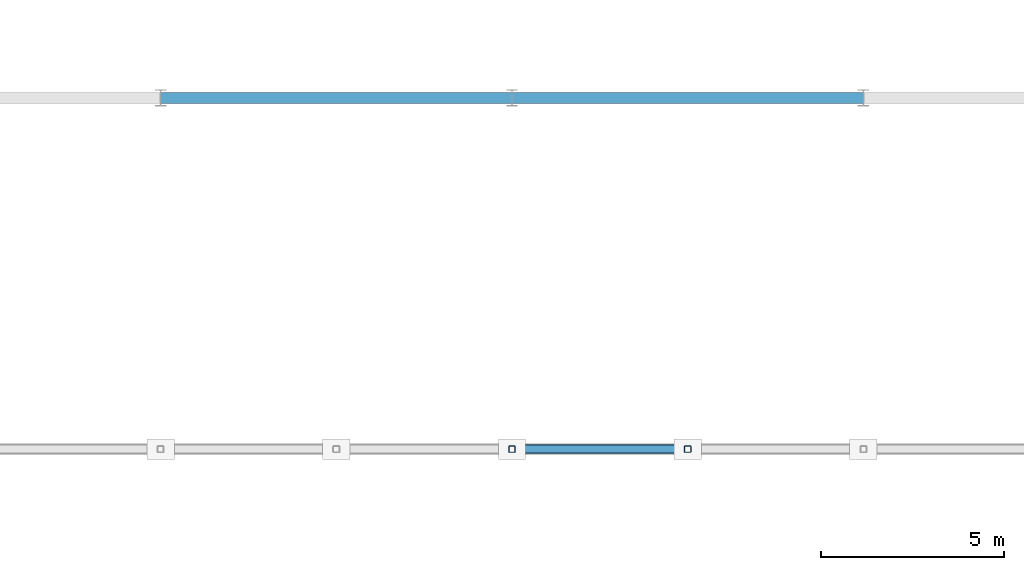
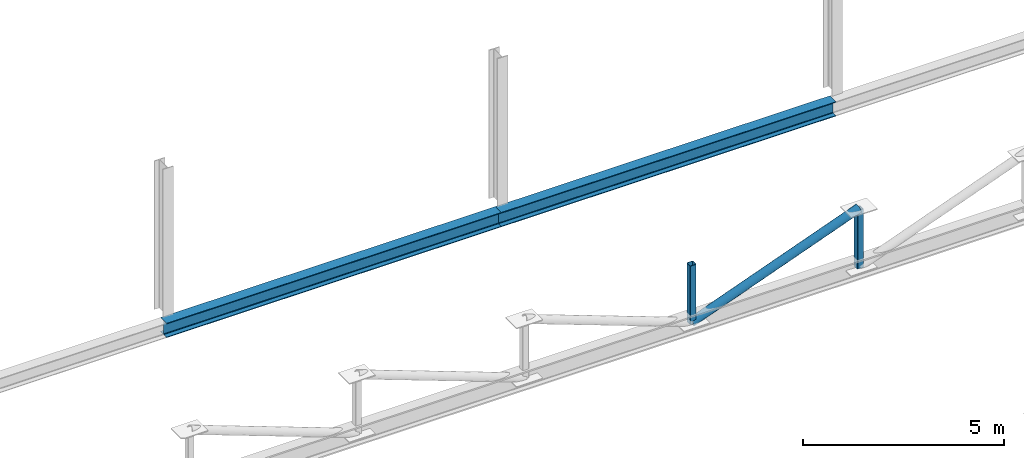
# One storey, part 34 of 101: 3 members, 2 beams.
"""IFC4 building model written with IfcOpenShell, lengths in metres."""

from ifc_helpers import new_model, si_unit, direction, frame, origin, origin_2d, place, context, subcontext, project, spatial, hollow_rectangle, hollow_circle, i_section, extrude, material, material_profile, profile_set, type_object, element, save


model = new_model("IFC4")

# Units and contexts
model_context = context("Model", 3, precision=1e-05, world=origin(), true_north=direction((0.0, 1.0)))
body_context = subcontext(model_context, "Body", "Model", "MODEL_VIEW")
ifc_project = project(units=[si_unit("LENGTHUNIT", "METRE"), si_unit("AREAUNIT", "SQUARE_METRE"), si_unit("VOLUMEUNIT", "CUBIC_METRE"), si_unit("PLANEANGLEUNIT", "RADIAN"), si_unit("MASSUNIT", "GRAM", prefix="KILO")], contexts=[model_context])

# Site, building, storey
site_placement = place(None, origin())
site = spatial("IfcSite", under=ifc_project, at=site_placement, CompositionType="ELEMENT")
building_placement = place(site_placement, origin())
building = spatial("IfcBuilding", under=site, at=building_placement, Name="Zevrakil Square Congress Hotel", CompositionType="ELEMENT")
storey_placement = place(building_placement, frame((0.0, 0.0, 5.39990234375)))
storey = spatial("IfcBuildingStorey", under=building, at=storey_placement, Name="L02", CompositionType="ELEMENT", Elevation=5.39990234375)

# Beams
ifc_material_1 = material(Name="Steel S355", Category="steel")
ifc_material_profile_1 = material_profile(ifc_material_1, i_section(OverallWidth=0.300048828125, OverallDepth=0.43994140625, WebThickness=0.011474609375, FlangeThickness=0.02099609375, FilletRadius=0.027099609375, at=origin_2d()), Name="HEA 450")
ifc_profile_set_1 = profile_set([ifc_material_profile_1], Name="Steel S355")
beam_type = type_object("IfcBeamType", Name="BM-HEA450", PredefinedType="BEAM", material=ifc_profile_set_1)
beam_1_placement = place(storey_placement, frame((16.800048828125, 45.60009765625, -0.47998046875), z_axis=(1.0, 0.0, 0.0), x_axis=(0.0, 1.0, 0.0)))
element("IfcBeam", 1, at=beam_1_placement, inside=storey, type_object=beam_type, Name="L02 primary girder BX-0733", PredefinedType="BEAM", context=body_context, shape_type="SweptSolid", body=[
    extrude(i_section(OverallWidth=0.300048828125, OverallDepth=0.43994140625, WebThickness=0.011474609375, FlangeThickness=0.02099609375, FilletRadius=0.027099609375, at=origin_2d()), origin(), (0.0, 0.0, 1.0), 9.599853515625),
])
beam_2_placement = place(storey_placement, frame((26.39990234375, 45.60009765625, -0.47998046875), z_axis=(1.0, 0.0, 0.0), x_axis=(0.0, 1.0, 0.0)))
element("IfcBeam", 2, at=beam_2_placement, inside=storey, type_object=beam_type, Name="L02 primary girder BX-0734", PredefinedType="BEAM", context=body_context, shape_type="SweptSolid", body=[
    extrude(i_section(OverallWidth=0.300048828125, OverallDepth=0.43994140625, WebThickness=0.011474609375, FlangeThickness=0.02099609375, FilletRadius=0.027099609375, at=origin_2d()), origin(), (0.0, 0.0, 1.0), 9.60009765625),
])

# Members
ifc_material_2 = material(Name="Steel S355", Category="steel")
ifc_material_profile_2 = material_profile(ifc_material_2, hollow_circle(Radius=0.122314453125, WallThickness=0.012451171875, at=origin_2d()), Name="CHS 244.5x12.5")
ifc_profile_set_2 = profile_set([ifc_material_profile_2], Name="Steel S355")
member_type_1 = type_object("IfcMemberType", Name="MEM-BRACE-CHS244", PredefinedType="BRACE", material=ifc_profile_set_2)
member_placement = place(storey_placement, frame((26.39990234375, 36.0, 2.150146484375), z_axis=(0.937932774607, 0.0, 0.346817113646), x_axis=(0.0, 1.0, 0.0)))
element("IfcMember", 3, at=member_placement, inside=storey, type_object=member_type_1, Name="Ballroom Pratt truss diagonal BTD-34", PredefinedType="BRACE", context=body_context, shape_type="SweptSolid", body=[
    extrude(hollow_circle(Radius=0.122314453125, WallThickness=0.012451171875, at=origin_2d()), origin(), (0.0, 0.0, 1.0), 5.11767578125),
])
ifc_material_3 = material(Name="Steel S355", Category="steel")
ifc_material_profile_3 = material_profile(ifc_material_3, hollow_rectangle(XDim=0.179931640625, YDim=0.179931640625, WallThickness=0.010009765625, InnerFilletRadius=0.010009765625, OuterFilletRadius=0.02001953125, at=origin_2d()), Name="SHS 180x180x10")
ifc_profile_set_3 = profile_set([ifc_material_profile_3], Name="Steel S355")
member_type_2 = type_object("IfcMemberType", Name="MEM-BRACE-SHS180", PredefinedType="BRACE", material=ifc_profile_set_3)
for number, where, z_axis, x_axis, name in (
    (4, (26.39990234375, 36.0, 2.150146484375), (0.0, 0.0, 1.0), (1.0, 0.0, 0.0), "Ballroom Pratt truss vertical BTV-34"),
    (5, (31.199951171875, 36.0, 2.150146484375), (0.0, 0.0, 1.0), (1.0, 0.0, 0.0), "Ballroom Pratt truss vertical BTV-35"),
):
    element("IfcMember", number, at=place(storey_placement, frame(where, z_axis=z_axis, x_axis=x_axis)), inside=storey, type_object=member_type_2, Name=name, PredefinedType="BRACE", context=body_context, shape_type="SweptSolid", body=[
        extrude(hollow_rectangle(XDim=0.179931640625, YDim=0.179931640625, WallThickness=0.010009765625, InnerFilletRadius=0.010009765625, OuterFilletRadius=0.02001953125, at=origin_2d()), origin(), (0.0, 0.0, 1.0), 1.77490234375),
    ])

save(model, "model.ifc")
